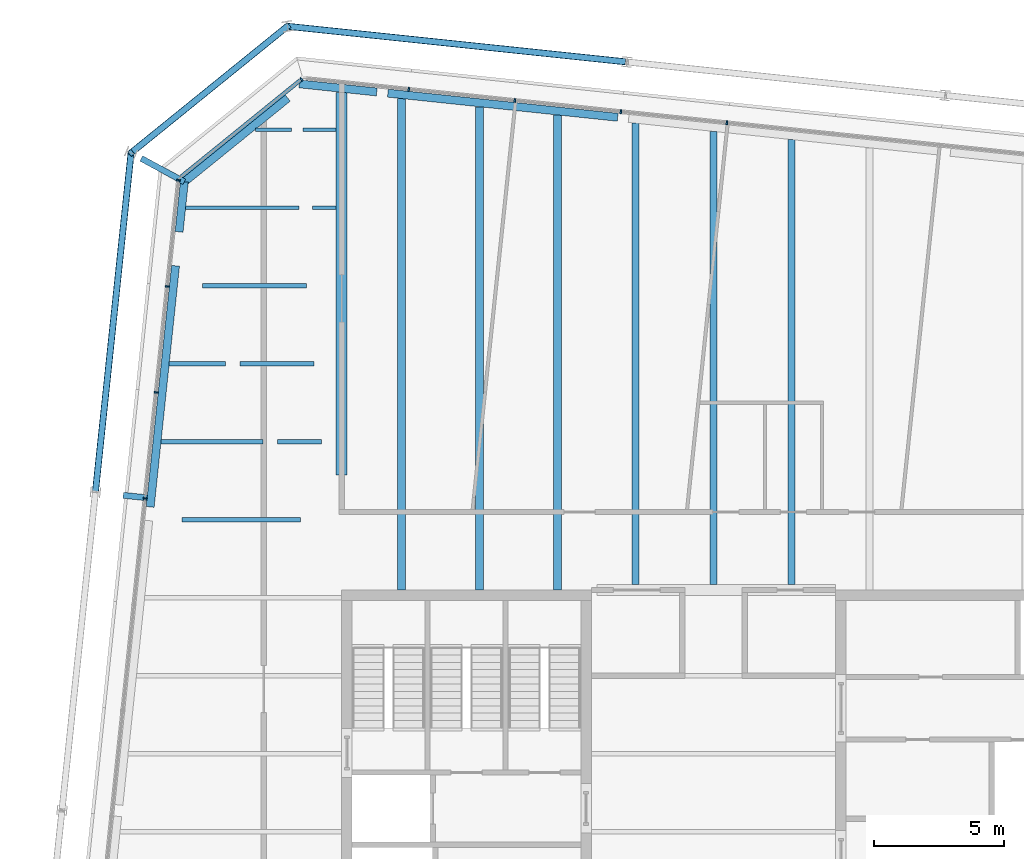
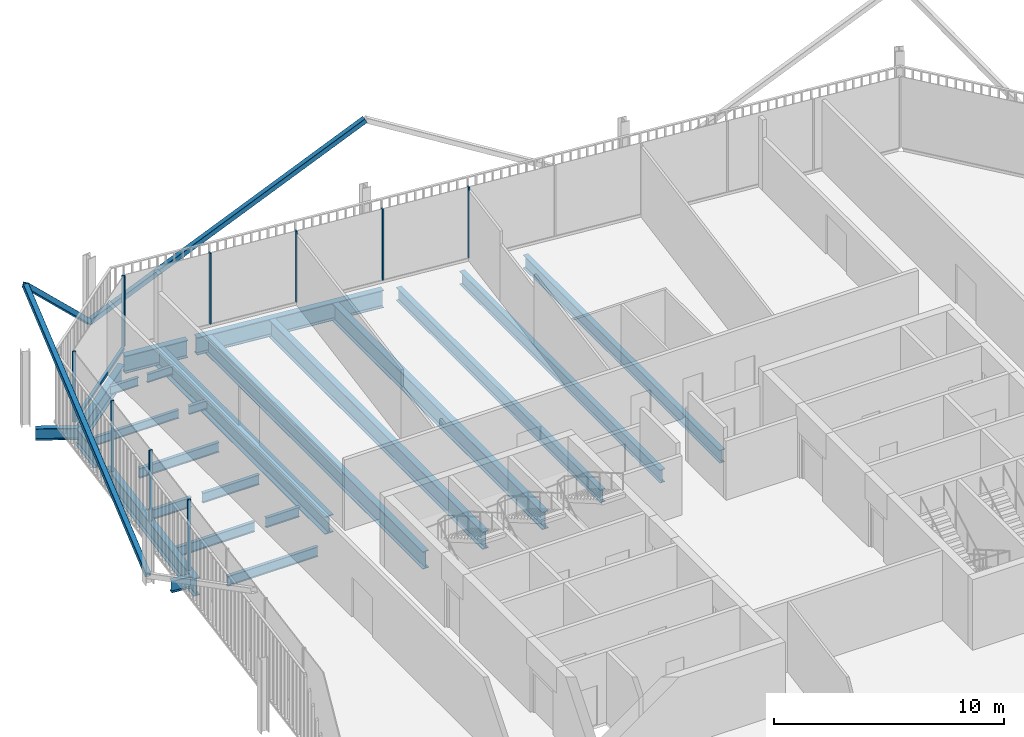
# One storey, part 12 of 21: 24 beams, 13 members, 3 elements without a shape of their own.
"""IFC4 building model written with IfcOpenShell, lengths in metres."""

from ifc_helpers import new_model, si_unit, direction, frame, origin, origin_2d, place, context, subcontext, project, spatial, rectangle, hollow_rectangle, i_section, extrude, material, layer, layer_set, material_profile, profile_set, type_object, element, aggregate, save


model = new_model("IFC4")

# Units and contexts
model_context = context("Model", 3, precision=1e-05, world=origin(), true_north=direction((0.0, 1.0)))
body_context = subcontext(model_context, "Body", "Model", "MODEL_VIEW")
ifc_project = project(units=[si_unit("LENGTHUNIT", "METRE"), si_unit("AREAUNIT", "SQUARE_METRE"), si_unit("VOLUMEUNIT", "CUBIC_METRE"), si_unit("PLANEANGLEUNIT", "RADIAN"), si_unit("MASSUNIT", "GRAM", prefix="KILO")], contexts=[model_context])

# Site, building, storey
site_placement = place(None, origin())
site = spatial("IfcSite", under=ifc_project, at=site_placement, CompositionType="ELEMENT")
building_placement = place(site_placement, origin())
building = spatial("IfcBuilding", under=site, at=building_placement, Name="Millrace Tower", CompositionType="ELEMENT")
storey_placement = place(building_placement, frame((0.0, 0.0, 276.0)))
storey = spatial("IfcBuildingStorey", under=building, at=storey_placement, Name="L63", CompositionType="ELEMENT", Elevation=276.0)

# Curtain wall, members
ifc_material_1 = material(Name="Aluminium and glass", Category="aluminium")
ifc_layer = layer(ifc_material_1, 0.14990234375)
ifc_layer_set = layer_set([ifc_layer], Name="Aluminium and glass")
curtain_wall_type = type_object("IfcCurtainWallType", Name="CW-1 office vision curtain wall", PredefinedType="NOTDEFINED", material=ifc_layer_set)
placement = place(storey_placement, origin())
curtain_wall_1 = element("IfcCurtainWall", 1, at=placement, inside=storey, type_object=curtain_wall_type, Name="Curtain wall E-F06 L63", PredefinedType="NOTDEFINED")
ifc_material_2 = material(Name="Aluminium", Category="aluminium")
ifc_material_profile_1 = material_profile(ifc_material_2, rectangle(XDim=0.06494140625, YDim=0.14990234375, at=origin_2d()))
ifc_profile_set_1 = profile_set([ifc_material_profile_1], Name="Aluminium")
member_type_1 = type_object("IfcMemberType", Name="CW-1 office vision curtain wall mullion", PredefinedType="MULLION", material=ifc_profile_set_1)
member_1_placement = place(storey_placement, frame((0.514892578125, 27.267578125, 0.139892578125), z_axis=(0.0, 0.0, 1.0), x_axis=(-0.994521896217, 0.104528455196, 0.0)))
member_1 = element("IfcMember", 2, at=member_1_placement, type_object=member_type_1, Name="CW1 mullion E-F06.6", PredefinedType="MULLION", context=body_context, shape_type="SweptSolid", body=[
    extrude(rectangle(XDim=0.06494140625, YDim=0.14990234375, at=origin_2d()), origin(), (0.0, 0.0, 1.0), 3.760009765625),
])
member_2_placement = place(storey_placement, frame((-3.562744140625, 27.6962890625, 0.139892578125), z_axis=(0.0, 0.0, 1.0), x_axis=(-0.994521896217, 0.104528455196, 0.0)))
member_2 = element("IfcMember", 3, at=member_2_placement, type_object=member_type_1, Name="CW1 mullion E-F06.7", PredefinedType="MULLION", context=body_context, shape_type="SweptSolid", body=[
    extrude(rectangle(XDim=0.06494140625, YDim=0.14990234375, at=origin_2d()), origin(), (0.0, 0.0, 1.0), 3.760009765625),
])
member_3_placement = place(storey_placement, frame((-7.640380859375, 28.124755859375, 0.139892578125), z_axis=(0.0, 0.0, 1.0), x_axis=(-0.994521896217, 0.104528455196, 0.0)))
member_3 = element("IfcMember", 4, at=member_3_placement, type_object=member_type_1, Name="CW1 mullion E-F06.8", PredefinedType="MULLION", context=body_context, shape_type="SweptSolid", body=[
    extrude(rectangle(XDim=0.06494140625, YDim=0.14990234375, at=origin_2d()), origin(), (0.0, 0.0, 1.0), 3.760009765625),
])
member_4_placement = place(storey_placement, frame((-11.7177734375, 28.55322265625, 0.139892578125), z_axis=(0.0, 0.0, 1.0), x_axis=(-0.994521896217, 0.104528455196, 0.0)))
member_4 = element("IfcMember", 5, at=member_4_placement, type_object=member_type_1, Name="CW1 mullion E-F06.9", PredefinedType="MULLION", context=body_context, shape_type="SweptSolid", body=[
    extrude(rectangle(XDim=0.06494140625, YDim=0.14990234375, at=origin_2d()), origin(), (0.0, 0.0, 1.0), 3.760009765625),
])
aggregate(curtain_wall_1, [member_1, member_2, member_3, member_4])

# Curtain wall, member
curtain_wall_2 = element("IfcCurtainWall", 6, at=placement, inside=storey, type_object=curtain_wall_type, Name="Curtain wall E-F07 L63", PredefinedType="NOTDEFINED")
member_5_placement = place(storey_placement, frame((-15.84326171875, 28.941650390625, 0.139892578125), z_axis=(0.0, 0.0, 1.0), x_axis=(-0.777146052237, -0.629320278945, 0.0)))
member_5 = element("IfcMember", 7, at=member_5_placement, type_object=member_type_1, Name="CW1 mullion E-F07.1", PredefinedType="MULLION", context=body_context, shape_type="SweptSolid", body=[
    extrude(rectangle(XDim=0.06494140625, YDim=0.14990234375, at=origin_2d()), origin(), (0.0, 0.0, 1.0), 3.760009765625),
])

# Curtain wall, members
curtain_wall_3 = element("IfcCurtainWall", 8, at=placement, inside=storey, type_object=curtain_wall_type, Name="Curtain wall E-F08 L63", PredefinedType="NOTDEFINED")
member_6_placement = place(storey_placement, frame((-20.57470703125, 25.052490234375, 0.139892578125), z_axis=(0.0, 0.0, 1.0), x_axis=(-0.104528455196, -0.994521896217, 0.0)))
member_6 = element("IfcMember", 9, at=member_6_placement, type_object=member_type_1, Name="CW1 mullion E-F08.1", PredefinedType="MULLION", context=body_context, shape_type="SweptSolid", body=[
    extrude(rectangle(XDim=0.06494140625, YDim=0.14990234375, at=origin_2d()), origin(), (0.0, 0.0, 1.0), 3.760009765625),
])
member_7_placement = place(storey_placement, frame((-21.00341796875, 20.974853515625, 0.139892578125), z_axis=(0.0, 0.0, 1.0), x_axis=(-0.104528455196, -0.994521896217, 0.0)))
member_7 = element("IfcMember", 10, at=member_7_placement, type_object=member_type_1, Name="CW1 mullion E-F08.2", PredefinedType="MULLION", context=body_context, shape_type="SweptSolid", body=[
    extrude(rectangle(XDim=0.06494140625, YDim=0.14990234375, at=origin_2d()), origin(), (0.0, 0.0, 1.0), 3.760009765625),
])
member_8_placement = place(storey_placement, frame((-21.431884765625, 16.8974609375, 0.139892578125), z_axis=(0.0, 0.0, 1.0), x_axis=(-0.104528455196, -0.994521896217, 0.0)))
member_8 = element("IfcMember", 11, at=member_8_placement, type_object=member_type_1, Name="CW1 mullion E-F08.3", PredefinedType="MULLION", context=body_context, shape_type="SweptSolid", body=[
    extrude(rectangle(XDim=0.06494140625, YDim=0.14990234375, at=origin_2d()), origin(), (0.0, 0.0, 1.0), 3.760009765625),
])
member_9_placement = place(storey_placement, frame((-21.860595703125, 12.81982421875, 0.139892578125), z_axis=(0.0, 0.0, 1.0), x_axis=(-0.104528455196, -0.994521896217, 0.0)))
member_9 = element("IfcMember", 12, at=member_9_placement, type_object=member_type_1, Name="CW1 mullion E-F08.4", PredefinedType="MULLION", context=body_context, shape_type="SweptSolid", body=[
    extrude(rectangle(XDim=0.06494140625, YDim=0.14990234375, at=origin_2d()), origin(), (0.0, 0.0, 1.0), 3.760009765625),
])
aggregate(curtain_wall_3, [member_6, member_7, member_8, member_9])

# Member
ifc_material_3 = material(Name="Aluminium", Category="aluminium")
ifc_material_profile_2 = material_profile(ifc_material_3, rectangle(XDim=0.14990234375, YDim=0.139892578125, at=origin_2d()))
ifc_profile_set_2 = profile_set([ifc_material_profile_2], Name="Aluminium")
member_type_2 = type_object("IfcMemberType", Name="CW-1 office vision curtain wall transom", PredefinedType="USERDEFINED", material=ifc_profile_set_2)
member_10_placement = place(storey_placement, frame((-15.895751953125, 28.899169921875, 0.070068359375), z_axis=(-0.777165591695, -0.629296148951, 0.0), x_axis=(0.629296148951, -0.777165591695, 0.0)))
member_10 = element("IfcMember", 13, at=member_10_placement, type_object=member_type_2, Name="CW1 transom E-F07.1", ObjectType="TRANSOM", PredefinedType="USERDEFINED", context=body_context, shape_type="SweptSolid", body=[
    extrude(rectangle(XDim=0.14990234375, YDim=0.139892578125, at=origin_2d()), origin(), (0.0, 0.0, 1.0), 5.881103515625),
])

aggregate(curtain_wall_2, [member_5, member_10])

# Members
ifc_material_4 = material(Name="Steel ASTM A500 Grade C", Category="steel")
ifc_material_profile_3 = material_profile(ifc_material_4, hollow_rectangle(XDim=0.25390625, YDim=0.25390625, WallThickness=0.0126953125, InnerFilletRadius=0.00634765625, OuterFilletRadius=0.01904296875, at=origin_2d()))
ifc_profile_set_3 = profile_set([ifc_material_profile_3], Name="Steel ASTM A500 Grade C")
member_type_3 = type_object("IfcMemberType", Name="Exoskeleton brace HSS10x10x1/2", PredefinedType="BRACE", material=ifc_profile_set_3)
member_11_placement = place(storey_placement, frame((-16.3857421875, 30.9794921875, 0.39990234375), z_axis=(0.877568210125, -0.092238278747, 0.470495628578), x_axis=(0.104530865473, 0.994521642883, 0.0)))
element("IfcMember", 14, at=member_11_placement, inside=storey, type_object=member_type_3, Name="BRC-E-L63-12", PredefinedType="BRACE", context=body_context, shape_type="SweptSolid", body=[
    extrude(hollow_rectangle(XDim=0.25390625, YDim=0.25390625, WallThickness=0.0126953125, InnerFilletRadius=0.00634765625, OuterFilletRadius=0.01904296875, at=origin_2d()), origin(), (0.0, 0.0, 1.0), 14.8779296875),
])
member_12_placement = place(storey_placement, frame((-16.3857421875, 30.9794921875, 0.39990234375), z_axis=(-0.57631352586, -0.466694392708, 0.670864415308), x_axis=(0.62932438279, -0.777142728993, 0.0)))
element("IfcMember", 15, at=member_12_placement, inside=storey, type_object=member_type_3, Name="BRC-E-L63-13", PredefinedType="BRACE", context=body_context, shape_type="SweptSolid", body=[
    extrude(hollow_rectangle(XDim=0.25390625, YDim=0.25390625, WallThickness=0.0126953125, InnerFilletRadius=0.00634765625, OuterFilletRadius=0.01904296875, at=origin_2d()), origin(), (0.0, 0.0, 1.0), 10.434326171875),
])
member_13_placement = place(storey_placement, frame((-23.771484375, 13.053466796875, 0.39990234375), z_axis=(0.092238278747, 0.877568210125, 0.470495628578), x_axis=(-0.994521642883, 0.104530865473, 0.0)))
element("IfcMember", 16, at=member_13_placement, inside=storey, type_object=member_type_3, Name="BRC-E-L63-14", PredefinedType="BRACE", context=body_context, shape_type="SweptSolid", body=[
    extrude(hollow_rectangle(XDim=0.25390625, YDim=0.25390625, WallThickness=0.0126953125, InnerFilletRadius=0.00634765625, OuterFilletRadius=0.01904296875, at=origin_2d()), origin(), (0.0, 0.0, 1.0), 14.8779296875),
])

# Beams
ifc_material_5 = material(Name="Steel ASTM A992 Grade 50", Category="steel")
ifc_material_profile_4 = material_profile(ifc_material_5, i_section(OverallWidth=0.15234375, OverallDepth=0.449462890625, WebThickness=0.007568359375, FlangeThickness=0.0107421875, FilletRadius=0.01025390625, at=origin_2d()))
ifc_profile_set_4 = profile_set([ifc_material_profile_4], Name="Steel ASTM A992 Grade 50")
beam_type_1 = type_object("IfcBeamType", Name="Floor beam W18x35", PredefinedType="JOIST", material=ifc_profile_set_4)
beam_1_placement = place(storey_placement, frame((-20.301025390625, 24.0, -0.384765625), z_axis=(1.0, 0.0, 0.0), x_axis=(0.0, 1.0, 0.0)))
element("IfcBeam", 17, at=beam_1_placement, inside=storey, type_object=beam_type_1, Name="BM-E-L63-S1-S033-a", PredefinedType="JOIST", context=body_context, shape_type="SweptSolid", body=[
    extrude(i_section(OverallWidth=0.15234375, OverallDepth=0.449462890625, WebThickness=0.007568359375, FlangeThickness=0.0107421875, FilletRadius=0.01025390625, at=origin_2d()), origin(), (0.0, 0.0, 1.0), 4.365234375),
])
beam_2_placement = place(storey_placement, frame((-15.424560546875, 24.0, -0.384765625), z_axis=(1.0, 0.0, 0.0), x_axis=(0.0, 1.0, 0.0)))
element("IfcBeam", 18, at=beam_2_placement, inside=storey, type_object=beam_type_1, Name="BM-E-L63-S1-S033-b", PredefinedType="JOIST", context=body_context, shape_type="SweptSolid", body=[
    extrude(i_section(OverallWidth=0.15234375, OverallDepth=0.449462890625, WebThickness=0.007568359375, FlangeThickness=0.0107421875, FilletRadius=0.01025390625, at=origin_2d()), origin(), (0.0, 0.0, 1.0), 0.9150390625),
])
beam_3_placement = place(storey_placement, frame((-17.609619140625, 27.0, -0.384765625), z_axis=(1.0, 0.0, 0.0), x_axis=(0.0, 1.0, 0.0)))
element("IfcBeam", 19, at=beam_3_placement, inside=storey, type_object=beam_type_1, Name="BM-E-L63-S1-S035-a", PredefinedType="JOIST", context=body_context, shape_type="SweptSolid", body=[
    extrude(i_section(OverallWidth=0.15234375, OverallDepth=0.449462890625, WebThickness=0.007568359375, FlangeThickness=0.0107421875, FilletRadius=0.01025390625, at=origin_2d()), origin(), (0.0, 0.0, 1.0), 1.385009765625),
])
beam_4_placement = place(storey_placement, frame((-15.78125, 27.0, -0.384765625), z_axis=(1.0, 0.0, 0.0), x_axis=(0.0, 1.0, 0.0)))
element("IfcBeam", 20, at=beam_4_placement, inside=storey, type_object=beam_type_1, Name="BM-E-L63-S1-S035-b", PredefinedType="JOIST", context=body_context, shape_type="SweptSolid", body=[
    extrude(i_section(OverallWidth=0.15234375, OverallDepth=0.449462890625, WebThickness=0.007568359375, FlangeThickness=0.0107421875, FilletRadius=0.01025390625, at=origin_2d()), origin(), (0.0, 0.0, 1.0), 1.271728515625),
])
ifc_material_6 = material(Name="Steel ASTM A992 Grade 50", Category="steel")
ifc_material_profile_5 = material_profile(ifc_material_6, i_section(OverallWidth=0.1650390625, OverallDepth=0.52587890625, WebThickness=0.0087890625, FlangeThickness=0.011474609375, FilletRadius=0.0126953125, at=origin_2d()))
ifc_profile_set_5 = profile_set([ifc_material_profile_5], Name="Steel ASTM A992 Grade 50")
beam_type_2 = type_object("IfcBeamType", Name="Floor beam W21x44", PredefinedType="JOIST", material=ifc_profile_set_5)
beam_5_placement = place(storey_placement, frame((-21.246826171875, 15.0, -0.4228515625), z_axis=(1.0, 0.0, 0.0), x_axis=(0.0, 1.0, 0.0)))
element("IfcBeam", 21, at=beam_5_placement, inside=storey, type_object=beam_type_2, Name="BM-E-L63-S1-S027-a", PredefinedType="JOIST", context=body_context, shape_type="SweptSolid", body=[
    extrude(i_section(OverallWidth=0.1650390625, OverallDepth=0.52587890625, WebThickness=0.0087890625, FlangeThickness=0.011474609375, FilletRadius=0.0126953125, at=origin_2d()), origin(), (0.0, 0.0, 1.0), 3.92138671875),
])
beam_6_placement = place(storey_placement, frame((-16.767333984375, 15.0, -0.4228515625), z_axis=(1.0, 0.0, 0.0), x_axis=(0.0, 1.0, 0.0)))
element("IfcBeam", 22, at=beam_6_placement, inside=storey, type_object=beam_type_2, Name="BM-E-L63-S1-S027-b", PredefinedType="JOIST", context=body_context, shape_type="SweptSolid", body=[
    extrude(i_section(OverallWidth=0.1650390625, OverallDepth=0.52587890625, WebThickness=0.0087890625, FlangeThickness=0.011474609375, FilletRadius=0.0126953125, at=origin_2d()), origin(), (0.0, 0.0, 1.0), 1.695068359375),
])
beam_7_placement = place(storey_placement, frame((-20.931640625, 18.0, -0.4228515625), z_axis=(1.0, 0.0, 0.0), x_axis=(0.0, 1.0, 0.0)))
element("IfcBeam", 23, at=beam_7_placement, inside=storey, type_object=beam_type_2, Name="BM-E-L63-S1-S029-a", PredefinedType="JOIST", context=body_context, shape_type="SweptSolid", body=[
    extrude(i_section(OverallWidth=0.1650390625, OverallDepth=0.52587890625, WebThickness=0.0087890625, FlangeThickness=0.011474609375, FilletRadius=0.0126953125, at=origin_2d()), origin(), (0.0, 0.0, 1.0), 2.160888671875),
])
beam_8_placement = place(storey_placement, frame((-18.212646484375, 18.0, -0.4228515625), z_axis=(1.0, 0.0, 0.0), x_axis=(0.0, 1.0, 0.0)))
element("IfcBeam", 24, at=beam_8_placement, inside=storey, type_object=beam_type_2, Name="BM-E-L63-S1-S029-b", PredefinedType="JOIST", context=body_context, shape_type="SweptSolid", body=[
    extrude(i_section(OverallWidth=0.1650390625, OverallDepth=0.52587890625, WebThickness=0.0087890625, FlangeThickness=0.011474609375, FilletRadius=0.0126953125, at=origin_2d()), origin(), (0.0, 0.0, 1.0), 2.8515625),
])
beam_9_placement = place(storey_placement, frame((-19.658203125, 21.0, -0.4228515625), z_axis=(1.0, 0.0, 0.0), x_axis=(0.0, 1.0, 0.0)))
element("IfcBeam", 25, at=beam_9_placement, inside=storey, type_object=beam_type_2, Name="BM-E-L63-S1-S031", PredefinedType="JOIST", context=body_context, shape_type="SweptSolid", body=[
    extrude(i_section(OverallWidth=0.1650390625, OverallDepth=0.52587890625, WebThickness=0.0087890625, FlangeThickness=0.011474609375, FilletRadius=0.0126953125, at=origin_2d()), origin(), (0.0, 0.0, 1.0), 4.008544921875),
])
beam_10_placement = place(storey_placement, frame((-20.43359375, 12.0, -0.4228515625), z_axis=(1.0, 0.0, 0.0), x_axis=(0.0, 1.0, 0.0)))
element("IfcBeam", 26, at=beam_10_placement, inside=storey, type_object=beam_type_2, Name="BM-E-L63-S1-S025", PredefinedType="JOIST", context=body_context, shape_type="SweptSolid", body=[
    extrude(i_section(OverallWidth=0.1650390625, OverallDepth=0.52587890625, WebThickness=0.0087890625, FlangeThickness=0.011474609375, FilletRadius=0.0126953125, at=origin_2d()), origin(), (0.0, 0.0, 1.0), 4.5537109375),
])
ifc_material_7 = material(Name="Steel ASTM A992 Grade 50", Category="steel")
ifc_material_profile_6 = material_profile(ifc_material_7, i_section(OverallWidth=0.256591796875, OverallDepth=0.693359375, WebThickness=0.014404296875, FlangeThickness=0.023681640625, FilletRadius=0.01513671875, at=origin_2d()))
ifc_profile_set_6 = profile_set([ifc_material_profile_6], Name="Steel ASTM A992 Grade 50")
beam_type_3 = type_object("IfcBeamType", Name="Floor beam W27x114", PredefinedType="JOIST", material=ifc_profile_set_6)
beam_11_placement = place(storey_placement, frame((-3.0, 9.509521484375, -0.506591796875), z_axis=(0.0, 1.0, 0.0), x_axis=(-1.0, 0.0, 0.0)))
element("IfcBeam", 27, at=beam_11_placement, inside=storey, type_object=beam_type_3, Name="BM-E-L63-S1-S042", PredefinedType="JOIST", context=body_context, shape_type="SweptSolid", body=[
    extrude(i_section(OverallWidth=0.256591796875, OverallDepth=0.693359375, WebThickness=0.014404296875, FlangeThickness=0.023681640625, FilletRadius=0.01513671875, at=origin_2d()), origin(), (0.0, 0.0, 1.0), 17.7431640625),
])
beam_12_placement = place(storey_placement, frame((0.0, 9.509521484375, -0.506591796875), z_axis=(0.0, 1.0, 0.0), x_axis=(-1.0, 0.0, 0.0)))
element("IfcBeam", 28, at=beam_12_placement, inside=storey, type_object=beam_type_3, Name="BM-E-L63-S1-S044", PredefinedType="JOIST", context=body_context, shape_type="SweptSolid", body=[
    extrude(i_section(OverallWidth=0.256591796875, OverallDepth=0.693359375, WebThickness=0.014404296875, FlangeThickness=0.023681640625, FilletRadius=0.01513671875, at=origin_2d()), origin(), (0.0, 0.0, 1.0), 17.427734375),
])
beam_13_placement = place(storey_placement, frame((3.0, 9.509521484375, -0.506591796875), z_axis=(0.0, 1.0, 0.0), x_axis=(-1.0, 0.0, 0.0)))
element("IfcBeam", 29, at=beam_13_placement, inside=storey, type_object=beam_type_3, Name="BM-E-L63-S1-S046", PredefinedType="JOIST", context=body_context, shape_type="SweptSolid", body=[
    extrude(i_section(OverallWidth=0.256591796875, OverallDepth=0.693359375, WebThickness=0.014404296875, FlangeThickness=0.023681640625, FilletRadius=0.01513671875, at=origin_2d()), origin(), (0.0, 0.0, 1.0), 17.112548828125),
])
ifc_material_8 = material(Name="Steel ASTM A992 Grade 50", Category="steel")
ifc_material_profile_7 = material_profile(ifc_material_8, i_section(OverallWidth=0.307373046875, OverallDepth=0.927001953125, WebThickness=0.01953125, FlangeThickness=0.031982421875, FilletRadius=0.01904296875, at=origin_2d()))
ifc_profile_set_7 = profile_set([ifc_material_profile_7], Name="Steel ASTM A992 Grade 50")
beam_type_4 = type_object("IfcBeamType", Name="Floor beam W36x194", PredefinedType="JOIST", material=ifc_profile_set_7)
beam_14_placement = place(storey_placement, frame((-12.0, 9.300048828125, -0.62353515625), z_axis=(0.0, 1.0, 0.0), x_axis=(-1.0, 0.0, 0.0)))
element("IfcBeam", 30, at=beam_14_placement, inside=storey, type_object=beam_type_4, Name="BM-E-L63-S1-S036", PredefinedType="JOIST", context=body_context, shape_type="SweptSolid", body=[
    extrude(i_section(OverallWidth=0.307373046875, OverallDepth=0.927001953125, WebThickness=0.01953125, FlangeThickness=0.031982421875, FilletRadius=0.01904296875, at=origin_2d()), origin(), (0.0, 0.0, 1.0), 18.8984375),
])
beam_15_placement = place(storey_placement, frame((-9.0, 9.300048828125, -0.62353515625), z_axis=(0.0, 1.0, 0.0), x_axis=(-1.0, 0.0, 0.0)))
element("IfcBeam", 31, at=beam_15_placement, inside=storey, type_object=beam_type_4, Name="BM-E-L63-S1-S038", PredefinedType="JOIST", context=body_context, shape_type="SweptSolid", body=[
    extrude(i_section(OverallWidth=0.307373046875, OverallDepth=0.927001953125, WebThickness=0.01953125, FlangeThickness=0.031982421875, FilletRadius=0.01904296875, at=origin_2d()), origin(), (0.0, 0.0, 1.0), 18.583251953125),
])
beam_16_placement = place(storey_placement, frame((-6.0, 9.300048828125, -0.62353515625), z_axis=(0.0, 1.0, 0.0), x_axis=(-1.0, 0.0, 0.0)))
element("IfcBeam", 32, at=beam_16_placement, inside=storey, type_object=beam_type_4, Name="BM-E-L63-S1-S040", PredefinedType="JOIST", context=body_context, shape_type="SweptSolid", body=[
    extrude(i_section(OverallWidth=0.307373046875, OverallDepth=0.927001953125, WebThickness=0.01953125, FlangeThickness=0.031982421875, FilletRadius=0.01904296875, at=origin_2d()), origin(), (0.0, 0.0, 1.0), 18.267822265625),
])
ifc_material_9 = material(Name="Steel ASTM A992 Grade 50", Category="steel")
ifc_material_profile_8 = material_profile(ifc_material_9, i_section(OverallWidth=0.424072265625, OverallDepth=0.947509765625, WebThickness=0.02392578125, FlangeThickness=0.042724609375, FilletRadius=0.024169921875, at=origin_2d()))
ifc_profile_set_8 = profile_set([ifc_material_profile_8], Name="Steel ASTM A992 Grade 50")
beam_type_5 = type_object("IfcBeamType", Name="Girder medium span W36x302", PredefinedType="BEAM", material=ifc_profile_set_8)
beam_17_placement = place(storey_placement, frame((-14.300048828125, 13.729248046875, -0.6337890625), z_axis=(0.0, 1.0, 0.0), x_axis=(-1.0, 0.0, 0.0)))
element("IfcBeam", 33, at=beam_17_placement, inside=storey, type_object=beam_type_5, Name="BM-E-L63-S1-G054-b", PredefinedType="BEAM", context=body_context, shape_type="SweptSolid", body=[
    extrude(i_section(OverallWidth=0.424072265625, OverallDepth=0.947509765625, WebThickness=0.02392578125, FlangeThickness=0.042724609375, FilletRadius=0.024169921875, at=origin_2d()), origin(), (0.0, 0.0, 1.0), 14.7109375),
])
ifc_material_10 = material(Name="Steel ASTM A992 Grade 50", Category="steel")
ifc_material_profile_9 = material_profile(ifc_material_10, i_section(OverallWidth=0.23046875, OverallDepth=0.6171875, WebThickness=0.01318359375, FlangeThickness=0.022216796875, FilletRadius=0.012939453125, at=origin_2d()))
ifc_profile_set_9 = profile_set([ifc_material_profile_9], Name="Steel ASTM A992 Grade 50")
beam_type_6 = type_object("IfcBeamType", Name="Link beam W24x94", PredefinedType="BEAM", material=ifc_profile_set_9)
beam_18_placement = place(storey_placement, frame((-21.782470703125, 12.84423828125, -0.468505859375), z_axis=(-0.99451413379, 0.104602283395, 0.0), x_axis=(-0.104602283395, -0.99451413379, 0.0)))
element("IfcBeam", 34, at=beam_18_placement, inside=storey, type_object=beam_type_6, Name="LNK-E-L63-S1-03", PredefinedType="BEAM", context=body_context, shape_type="SweptSolid", body=[
    extrude(i_section(OverallWidth=0.23046875, OverallDepth=0.6171875, WebThickness=0.01318359375, FlangeThickness=0.022216796875, FilletRadius=0.012939453125, at=origin_2d()), origin(), (0.0, 0.0, 1.0), 0.92431640625),
])
beam_19_placement = place(storey_placement, frame((-20.3505859375, 24.99755859375, -0.468505859375), z_axis=(-0.878809968832, 0.477171917324, 0.0), x_axis=(-0.477171917324, -0.878809968832, 0.0)))
element("IfcBeam", 35, at=beam_19_placement, inside=storey, type_object=beam_type_6, Name="LNK-E-L63-S1-04", PredefinedType="BEAM", context=body_context, shape_type="SweptSolid", body=[
    extrude(i_section(OverallWidth=0.23046875, OverallDepth=0.6171875, WebThickness=0.01318359375, FlangeThickness=0.022216796875, FilletRadius=0.012939453125, at=origin_2d()), origin(), (0.0, 0.0, 1.0), 1.88427734375),
])
ifc_material_11 = material(Name="Steel ASTM A992 Grade 50", Category="steel")
ifc_material_profile_10 = material_profile(ifc_material_11, i_section(OverallWidth=0.307373046875, OverallDepth=0.927001953125, WebThickness=0.01953125, FlangeThickness=0.031982421875, FilletRadius=0.01904296875, at=origin_2d()))
ifc_profile_set_10 = profile_set([ifc_material_profile_10], Name="Steel ASTM A992 Grade 50")
beam_type_7 = type_object("IfcBeamType", Name="Ring beam short span W36x194", PredefinedType="SPANDREL", material=ifc_profile_set_10)
beam_20_placement = place(storey_placement, frame((-21.664794921875, 12.494140625, -0.62353515625), z_axis=(0.104538961281, 0.994520791927, 0.0), x_axis=(-0.994520791927, 0.104538961281, 0.0)))
element("IfcBeam", 36, at=beam_20_placement, inside=storey, type_object=beam_type_7, Name="RNG-E-L63-S1-03-a", PredefinedType="SPANDREL", context=body_context, shape_type="SweptSolid", body=[
    extrude(i_section(OverallWidth=0.307373046875, OverallDepth=0.927001953125, WebThickness=0.01953125, FlangeThickness=0.031982421875, FilletRadius=0.01904296875, at=origin_2d()), origin(), (0.0, 0.0, 1.0), 9.3251953125),
])
beam_21_placement = place(storey_placement, frame((-20.552978515625, 23.072265625, -0.62353515625), z_axis=(0.104546923993, 0.994519954895, 0.0), x_axis=(-0.994519954895, 0.104546923993, 0.0)))
element("IfcBeam", 37, at=beam_21_placement, inside=storey, type_object=beam_type_7, Name="RNG-E-L63-S1-03-b", PredefinedType="SPANDREL", context=body_context, shape_type="SweptSolid", body=[
    extrude(i_section(OverallWidth=0.307373046875, OverallDepth=0.927001953125, WebThickness=0.01953125, FlangeThickness=0.031982421875, FilletRadius=0.01904296875, at=origin_2d()), origin(), (0.0, 0.0, 1.0), 1.935791015625),
])
beam_22_placement = place(storey_placement, frame((-15.926513671875, 28.765869140625, -0.62353515625), z_axis=(0.994516175752, -0.104582867469, 0.0), x_axis=(0.104582867469, 0.994516175752, 0.0)))
element("IfcBeam", 38, at=beam_22_placement, inside=storey, type_object=beam_type_7, Name="RNG-E-L63-S1-05-a", PredefinedType="SPANDREL", context=body_context, shape_type="SweptSolid", body=[
    extrude(i_section(OverallWidth=0.307373046875, OverallDepth=0.927001953125, WebThickness=0.01953125, FlangeThickness=0.031982421875, FilletRadius=0.01904296875, at=origin_2d()), origin(), (0.0, 0.0, 1.0), 2.99267578125),
])
beam_23_placement = place(storey_placement, frame((-20.3505859375, 24.99755859375, -0.62353515625), z_axis=(0.777150433618, 0.62931486835, 0.0), x_axis=(-0.62931486835, 0.777150433618, 0.0)))
element("IfcBeam", 39, at=beam_23_placement, inside=storey, type_object=beam_type_7, Name="RNG-E-L63-S1-04", PredefinedType="SPANDREL", context=body_context, shape_type="SweptSolid", body=[
    extrude(i_section(OverallWidth=0.307373046875, OverallDepth=0.927001953125, WebThickness=0.01953125, FlangeThickness=0.031982421875, FilletRadius=0.01904296875, at=origin_2d()), origin(), (0.0, 0.0, 1.0), 5.11767578125),
])
beam_24_placement = place(storey_placement, frame((-12.52197265625, 28.407958984375, -0.62353515625), z_axis=(0.994522302951, -0.104524585302, 0.0), x_axis=(0.104524585302, 0.994522302951, 0.0)))
element("IfcBeam", 40, at=beam_24_placement, inside=storey, type_object=beam_type_7, Name="RNG-E-L63-S1-05-b", PredefinedType="SPANDREL", context=body_context, shape_type="SweptSolid", body=[
    extrude(i_section(OverallWidth=0.307373046875, OverallDepth=0.927001953125, WebThickness=0.01953125, FlangeThickness=0.031982421875, FilletRadius=0.01904296875, at=origin_2d()), origin(), (0.0, 0.0, 1.0), 8.885009765625),
])

save(model, "model.ifc")
